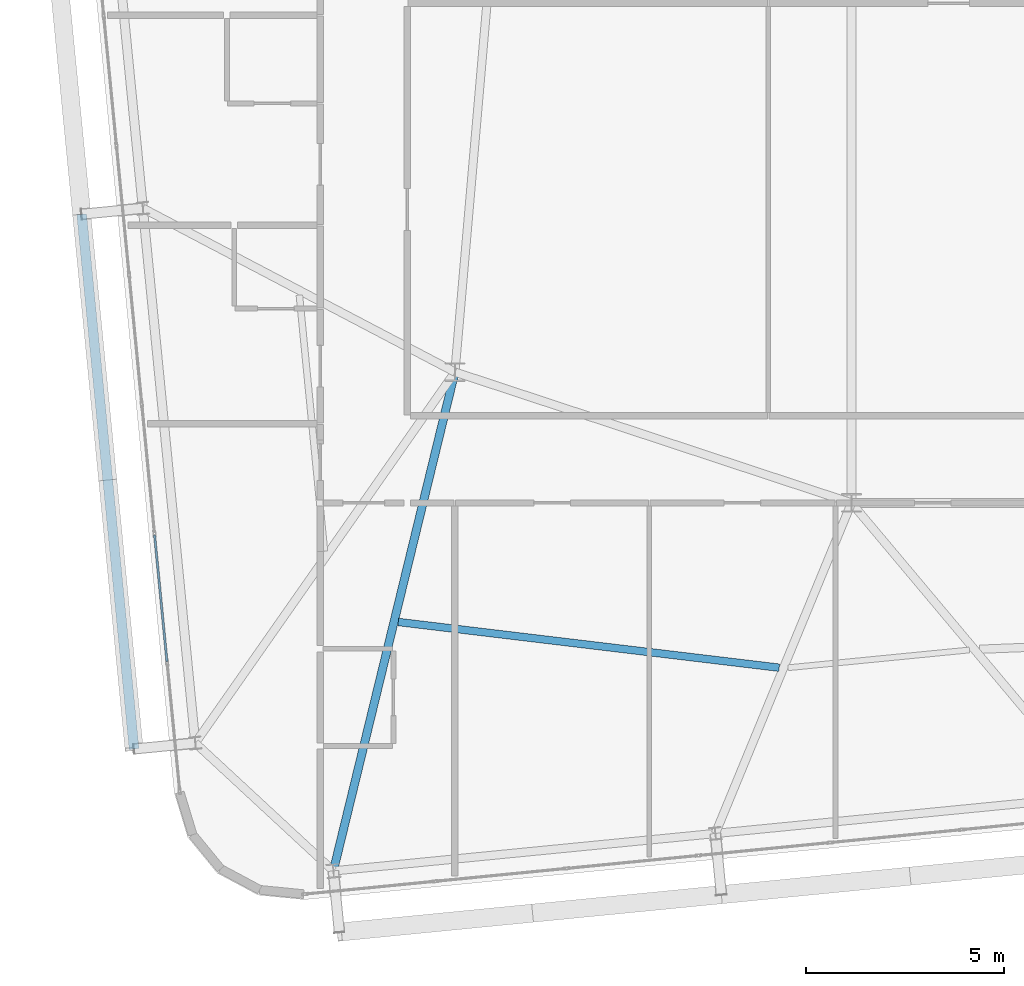
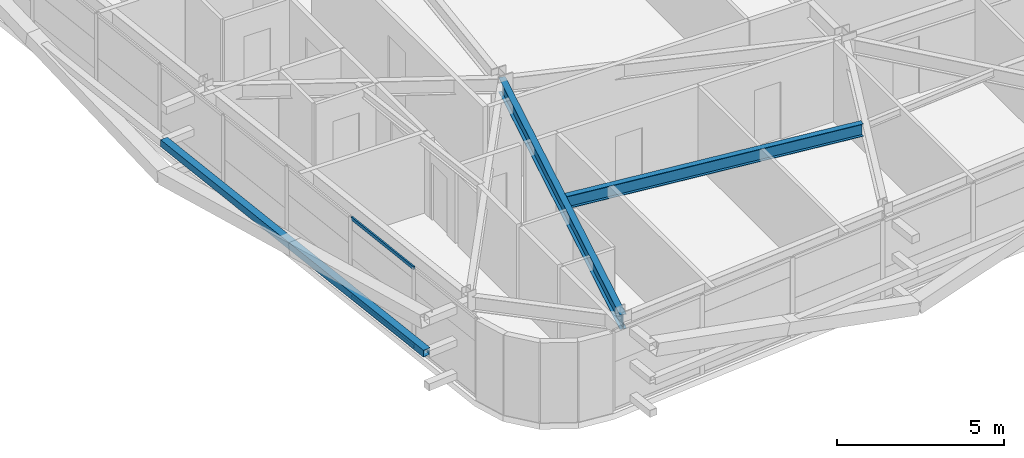
# One storey, part 7 of 53: 3 members, 2 beams, 1 element without a shape of its own.
"""IFC4 building model written with IfcOpenShell, lengths in metres."""

from ifc_helpers import new_model, si_unit, direction, frame, origin, origin_2d, place, context, subcontext, project, spatial, hollow_rectangle, i_section, extrude, source, transform, mapped, material, layer, layer_set, material_profile, profile_set, type_object, element, aggregate, save


model = new_model("IFC4")

# Units and contexts
model_context = context("Model", 3, precision=1e-05, world=origin(), true_north=direction((0.0, 1.0)))
body_context = subcontext(model_context, "Body", "Model", "MODEL_VIEW")
ifc_project = project(units=[si_unit("LENGTHUNIT", "METRE"), si_unit("AREAUNIT", "SQUARE_METRE"), si_unit("VOLUMEUNIT", "CUBIC_METRE"), si_unit("PLANEANGLEUNIT", "RADIAN"), si_unit("MASSUNIT", "GRAM", prefix="KILO")], contexts=[model_context])

# Site, building, storey
site_placement = place(None, origin())
site = spatial("IfcSite", under=ifc_project, at=site_placement, CompositionType="ELEMENT")
building_placement = place(site_placement, origin())
building = spatial("IfcBuilding", under=site, at=building_placement, Name="Taldren Reach Tower", CompositionType="ELEMENT")
storey_placement = place(building_placement, frame((0.0, 0.0, 71.39990234375)))
storey = spatial("IfcBuildingStorey", under=building, at=storey_placement, Name="L21", CompositionType="ELEMENT", Elevation=71.39990234375)

# Beams
ifc_material_1 = material(Name="Steel Gr 350 (350PLUS)", Category="steel")
ifc_material_profile_1 = material_profile(ifc_material_1, i_section(OverallWidth=0.208984375, OverallDepth=0.532958984375, WebThickness=0.01025390625, FlangeThickness=0.015625, at=origin_2d()), Name="530UB92.4")
ifc_profile_set_1 = profile_set([ifc_material_profile_1], Name="Steel Gr 350 (350PLUS)")
beam_type_1 = type_object("IfcBeamType", Name="BM-UB530A", PredefinedType="BEAM", material=ifc_profile_set_1)
shared_shape_1 = source(origin(), body_context, "Body", "SweptSolid", [
    extrude(i_section(OverallWidth=0.208984375, OverallDepth=0.532958984375, WebThickness=0.01025390625, FlangeThickness=0.015625, at=origin_2d()), origin(), (0.0, 0.0, 1.0), 12.947998046875),
])
beam_1_placement = place(storey_placement, frame((18.0, 12.5, 2.66357421875), z_axis=(-0.236786022782, -0.971561824803, 0.0), x_axis=(0.971561824803, -0.236786022782, 0.0)))
element("IfcBeam", 1, at=beam_1_placement, inside=storey, type_object=beam_type_1, Name="Primary floor girder B2-S1 L21", PredefinedType="BEAM", context=body_context, shape_type="MappedRepresentation", body=[
    mapped(shared_shape_1, transform((0.0, 0.0, 0.0), scale=1.0)),
])
ifc_material_profile_2 = material_profile(ifc_material_1, i_section(OverallWidth=0.19091796875, OverallDepth=0.4599609375, WebThickness=0.010009765625, FlangeThickness=0.01611328125, at=origin_2d()), Name="460UB82.1")
ifc_profile_set_2 = profile_set([ifc_material_profile_2], Name="Steel Gr 350 (350PLUS)")
beam_type_2 = type_object("IfcBeamType", Name="BM-UB460A", PredefinedType="BEAM", material=ifc_profile_set_2)
shared_shape_2 = source(origin(), body_context, "Body", "SweptSolid", [
    extrude(i_section(OverallWidth=0.19091796875, OverallDepth=0.4599609375, WebThickness=0.010009765625, FlangeThickness=0.01611328125, at=origin_2d()), origin(), (0.0, 0.0, 1.0), 9.673583984375),
])
beam_2_placement = place(storey_placement, frame((16.571533203125, 6.197509765625, 2.7001953125), z_axis=(0.992879584922, -0.119122331431, 0.0), x_axis=(0.119122331431, 0.992879584922, 0.0)))
element("IfcBeam", 2, at=beam_2_placement, inside=storey, type_object=beam_type_2, Name="Secondary floor beam B2 J1 L21", PredefinedType="BEAM", context=body_context, shape_type="MappedRepresentation", body=[
    mapped(shared_shape_2, transform((0.0, 0.0, 0.0), scale=1.0)),
])

# Member
ifc_material_2 = material(Name="Steel Gr 350 (C350L0)", Category="steel")
ifc_material_profile_3 = material_profile(ifc_material_2, hollow_rectangle(XDim=0.25, YDim=0.25, WallThickness=0.010009765625, at=origin_2d()), Name="250x250x10.0SHS")
ifc_profile_set_3 = profile_set([ifc_material_profile_3], Name="Steel Gr 350 (C350L0)")
member_type_1 = type_object("IfcMemberType", Name="MB-POST250", PredefinedType="POST", material=ifc_profile_set_3)
shared_shape_3 = source(origin(), body_context, "Body", "SweptSolid", [
    extrude(hollow_rectangle(XDim=0.25, YDim=0.25, WallThickness=0.010009765625, at=origin_2d()), origin(), (0.0, 0.0, 1.0), 13.5498046875),
])
member_1_placement = place(storey_placement, frame((9.91015625, 2.99462890625, 1.43505859375), z_axis=(-0.097585771221, 0.995227118428, 0.0), x_axis=(-0.995227118428, -0.097585771221, 0.0)))
element("IfcMember", 3, at=member_1_placement, inside=storey, type_object=member_type_1, Name="Exoskeleton mid-height ring chord B2-W1 L21", PredefinedType="POST", context=body_context, shape_type="MappedRepresentation", body=[
    mapped(shared_shape_3, transform((0.0, 0.0, 0.0), scale=1.0)),
])

# Curtain wall, members
ifc_material_3 = material(Name="Aluminium and Low-E Glass Unitised System", Category="aluminium")
ifc_layer = layer(ifc_material_3, 0.159912109375)
ifc_layer_set = layer_set([ifc_layer], Name="Aluminium and Low-E Glass Unitised System")
curtain_wall_type = type_object("IfcCurtainWallType", Name="CW-SYS-3", PredefinedType="NOTDEFINED", material=ifc_layer_set)
curtain_wall_placement = place(storey_placement, origin())
curtain_wall = element("IfcCurtainWall", 4, at=curtain_wall_placement, inside=storey, type_object=curtain_wall_type, Name="Unitised curtain wall CW-L21-W", PredefinedType="NOTDEFINED")
ifc_material_4 = material(Name="Anodised Aluminium 6063-T6", Category="aluminium")
ifc_material_profile_4 = material_profile(ifc_material_4, hollow_rectangle(XDim=0.054931640625, YDim=0.1201171875, WallThickness=0.0029296875, at=origin_2d()), Name="ALU-120x55x3RHS")
ifc_profile_set_4 = profile_set([ifc_material_profile_4], Name="Anodised Aluminium 6063-T6")
member_type_2 = type_object("IfcMemberType", Name="CW-TRN-135", PredefinedType="USERDEFINED", material=ifc_profile_set_4)
shared_shape_4 = source(origin(), body_context, "Body", "SweptSolid", [
    extrude(hollow_rectangle(XDim=0.054931640625, YDim=0.1201171875, WallThickness=0.0029296875, at=origin_2d()), origin(), (0.0, 0.0, 1.0), 3.212646484375),
])
member_2_placement = place(storey_placement, frame((10.42578125, 8.3935546875, 0.027587890625), z_axis=(0.097577327663, -0.995227946315, 0.0), x_axis=(0.995227946315, 0.097577327663, 0.0)))
member_2 = element("IfcMember", 5, at=member_2_placement, type_object=member_type_2, Name="CW-3 transom 8.1", ObjectType="TRANSOM", PredefinedType="USERDEFINED", context=body_context, shape_type="MappedRepresentation", body=[
    mapped(shared_shape_4, transform((0.0, 0.0, 0.0), scale=1.0)),
])
member_3_placement = place(storey_placement, frame((10.42578125, 8.3935546875, 2.902587890625), z_axis=(0.097577327663, -0.995227946315, 0.0), x_axis=(0.995227946315, 0.097577327663, 0.0)))
member_3 = element("IfcMember", 6, at=member_3_placement, type_object=member_type_2, Name="CW-3 transom 8.2", ObjectType="TRANSOM", PredefinedType="USERDEFINED", context=body_context, shape_type="MappedRepresentation", body=[
    mapped(shared_shape_4, transform((0.0, 0.0, 0.0), scale=1.0)),
])
aggregate(curtain_wall, [member_2, member_3])

save(model, "model.ifc")
